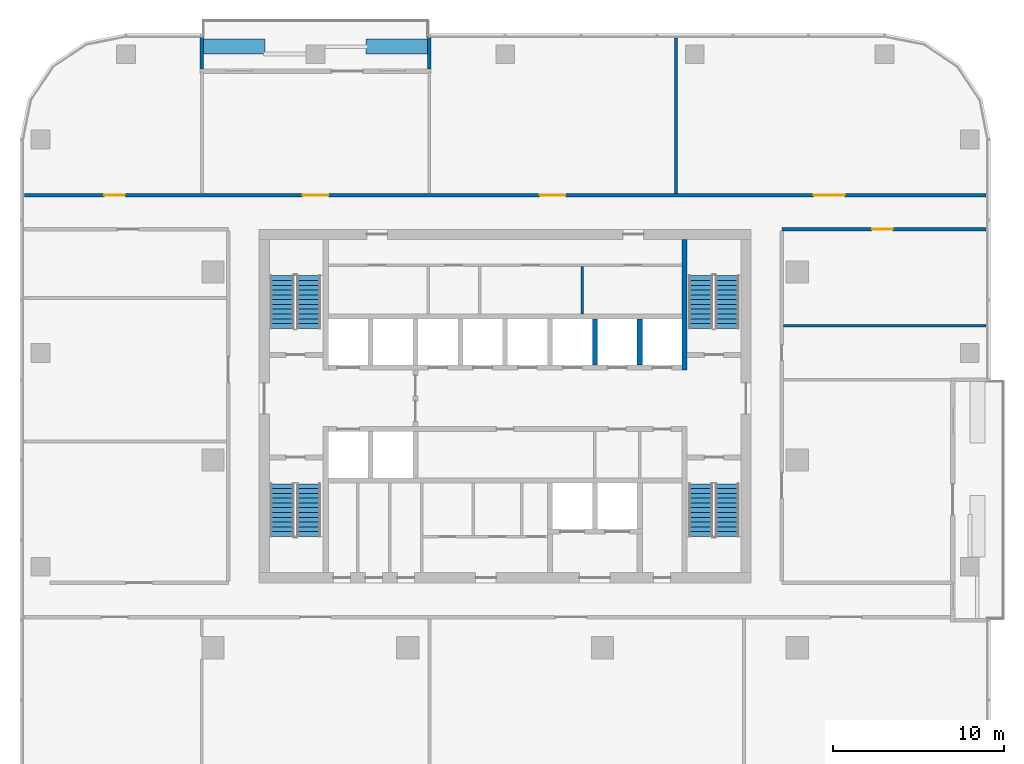
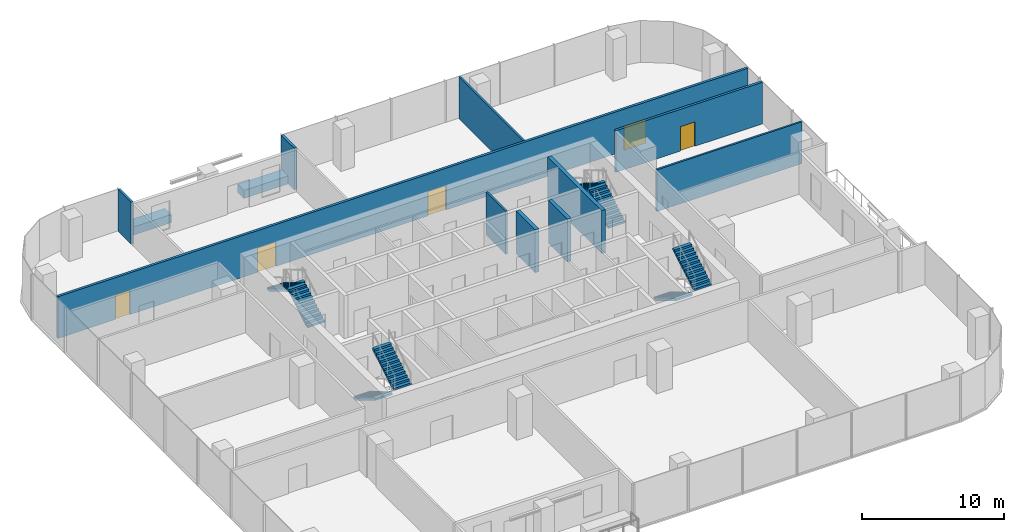
# One storey, part 10 of 14: 12 walls, 8 stair flights, 5 doors, 5 openings, 4 elements without a shape of their own.
"""IFC4 building model written with IfcOpenShell, lengths in metres."""

from ifc_helpers import new_model, si_unit, direction, frame, frame_2d, origin, place, context, subcontext, project, spatial, polyline, rectangle, outline, extrude, material, layer, layer_set, type_object, element, fill, aggregate, save


model = new_model("IFC4")

# Units and contexts
model_context = context("Model", 3, precision=1e-05, world=origin(), true_north=direction((0.0, 1.0)))
body_context = subcontext(model_context, "Body", "Model", "MODEL_VIEW")
ifc_project = project(units=[si_unit("LENGTHUNIT", "METRE"), si_unit("AREAUNIT", "SQUARE_METRE"), si_unit("VOLUMEUNIT", "CUBIC_METRE"), si_unit("PLANEANGLEUNIT", "RADIAN"), si_unit("MASSUNIT", "GRAM", prefix="KILO")], contexts=[model_context])

# Site, building, storey
site_placement = place(None, origin())
site = spatial("IfcSite", under=ifc_project, at=site_placement, CompositionType="ELEMENT")
building_placement = place(site_placement, origin())
building = spatial("IfcBuilding", under=site, at=building_placement, Name="Mopane Tessera Tower", CompositionType="ELEMENT")
storey_placement = place(building_placement, frame((0.0, 0.0, 227.0)))
storey = spatial("IfcBuildingStorey", under=building, at=storey_placement, Name="L48", CompositionType="ELEMENT", Elevation=227.0)

# Walls
ifc_material_1 = material(Name="Fire-rated gypsum board partition")
ifc_layer_1 = layer(ifc_material_1, 0.14990234375)
ifc_layer_set_1 = layer_set([ifc_layer_1], Name="Fire-rated gypsum board partition")
wall_type_1 = type_object("IfcWallType", Name="Core room partition 150 mm", PredefinedType="PARTITIONING", material=ifc_layer_set_1)
wall_1_placement = place(storey_placement, frame((4.5, 8.550048828125, 0.0), z_axis=(0.0, 0.0, 1.0), x_axis=(0.0, 1.0, 0.0)))
element("IfcWall", 1, at=wall_1_placement, inside=storey, type_object=wall_type_1, Name="L48 Room partition", PredefinedType="PARTITIONING", context=body_context, shape_type="SweptSolid", body=[
    extrude(rectangle(XDim=2.77490234375, YDim=0.14990234375, at=frame_2d((1.387451171875, 0.0))), origin(), (0.0, 0.0, 1.0), 3.699951171875),
])
ifc_material_2 = material(Name="Concrete C60/75", Category="concrete")
ifc_layer_2 = layer(ifc_material_2, 0.300048828125)
ifc_layer_set_2 = layer_set([ifc_layer_2], Name="Concrete C60/75")
wall_type_2 = type_object("IfcWallType", Name="Core spine wall 300 mm", PredefinedType="SHEAR", material=ifc_layer_set_2)
wall_2_placement = place(storey_placement, frame((10.5, 5.25, 0.0), z_axis=(0.0, 0.0, 1.0), x_axis=(0.0, 1.0, 0.0)))
element("IfcWall", 2, at=wall_2_placement, inside=storey, type_object=wall_type_2, Name="L48 Core spine wall", PredefinedType="SHEAR", context=body_context, shape_type="SweptSolid", body=[
    extrude(rectangle(XDim=7.64990234375, YDim=0.300048828125, at=frame_2d((3.824951171875, 0.0))), origin(), (0.0, 0.0, 1.0), 3.699951171875),
])

# Wall, opening, door
ifc_material_3 = material(Name="Gypsum board on steel studs, two layers each face, mineral wool infill", Category="steel")
ifc_layer_3 = layer(ifc_material_3, 0.199951171875)
ifc_layer_set_3 = layer_set([ifc_layer_3], Name="Gypsum board on steel studs, two layers each face, mineral wool infill")
wall_type_3 = type_object("IfcWallType", Name="Gypsum board corridor wall 200, rated EI 60", PredefinedType="PARTITIONING", material=ifc_layer_set_3)
wall_3_placement = place(storey_placement, frame((16.199951171875, 13.5, 0.0), z_axis=(0.0, 0.0, 1.0), x_axis=(1.0, 0.0, 0.0)))
wall_3 = element("IfcWall", 3, at=wall_3_placement, inside=storey, type_object=wall_type_3, Name="Partition L48:008", PredefinedType="PARTITIONING", context=body_context, shape_type="SweptSolid", body=[
    extrude(rectangle(XDim=11.949951171875, YDim=0.199951171875, at=frame_2d((5.97509765625, 0.0))), origin(), (0.0, 0.0, 1.0), 3.60009765625),
])
opening_1_placement = place(wall_3_placement, frame((5.27490234375, 0.0, 0.0)))
opening_1 = element("IfcOpeningElement", 4, at=opening_1_placement, cuts=wall_3, Name="Opening L48-07", PredefinedType="OPENING", context=body_context, shape_type="SweptSolid", body=[
    extrude(rectangle(XDim=1.199951171875, YDim=2.10009765625, at=frame_2d((0.60009765625, 1.050048828125))), frame((0.0, 0.112060546875, 0.0), z_axis=(0.0, -1.0, 0.0), x_axis=(1.0, 0.0, 0.0)), (0.0, 0.0, 1.0), 0.223876953125),
])
ifc_material_4 = material(Name="Timber veneered steel-framed fire door", Category="steel")
door_type_1 = type_object("IfcDoorType", Name="Fire door FD60 1200 x 2100", OperationType="SINGLE_SWING_LEFT", PredefinedType="DOOR", material=ifc_material_4)
door_1_placement = place(opening_1_placement, origin())
door_1 = element("IfcDoor", 5, at=door_1_placement, inside=storey, type_object=door_type_1, Name="Door L48-07", ObjectType="D15A", OperationType="SINGLE_SWING_LEFT", OverallHeight=2.10009765625, OverallWidth=1.199951171875, PredefinedType="DOOR", context=body_context, shape_type="SweptSolid", body=[
    extrude(rectangle(XDim=1.199951171875, YDim=2.10009765625, at=frame_2d((0.60009765625, 1.050048828125))), frame((0.0, 0.02490234375, 0.0), z_axis=(0.0, -1.0, 0.0), x_axis=(1.0, 0.0, 0.0)), (0.0, 0.0, 1.0), 0.050048828125),
])
fill(opening_1, door_1)

# Wall, openings, doors
wall_4_placement = place(storey_placement, frame((-28.14990234375, 15.5, 0.0), z_axis=(0.0, 0.0, 1.0), x_axis=(1.0, 0.0, 0.0)))
wall_4 = element("IfcWall", 6, at=wall_4_placement, inside=storey, type_object=wall_type_3, Name="Partition L48:009", PredefinedType="PARTITIONING", context=body_context, shape_type="SweptSolid", body=[
    extrude(rectangle(XDim=56.2998046875, YDim=0.199951171875, at=frame_2d((28.14990234375, 0.0))), origin(), (0.0, 0.0, 1.0), 3.60009765625),
])
opening_2_placement = place(wall_4_placement, frame((16.300048828125, 0.0, 0.0)))
opening_2 = element("IfcOpeningElement", 7, at=opening_2_placement, cuts=wall_4, Name="Opening L48-04", PredefinedType="OPENING", context=body_context, shape_type="SweptSolid", body=[
    extrude(rectangle(XDim=1.5, YDim=2.10009765625, at=frame_2d((0.75, 1.050048828125))), frame((0.0, 0.112060546875, 0.0), z_axis=(0.0, -1.0, 0.0), x_axis=(1.0, 0.0, 0.0)), (0.0, 0.0, 1.0), 0.223876953125),
])
opening_3_placement = place(wall_4_placement, frame((46.22509765625, 0.0, 0.0)))
opening_3 = element("IfcOpeningElement", 8, at=opening_3_placement, cuts=wall_4, Name="Opening L48-06", PredefinedType="OPENING", context=body_context, shape_type="SweptSolid", body=[
    extrude(rectangle(XDim=1.800048828125, YDim=2.10009765625, at=frame_2d((0.89990234375, 1.050048828125))), frame((0.0, 0.112060546875, 0.0), z_axis=(0.0, -1.0, 0.0), x_axis=(1.0, 0.0, 0.0)), (0.0, 0.0, 1.0), 0.223876953125),
])
opening_4_placement = place(wall_4_placement, frame((30.179931640625, 0.0, 0.0)))
opening_4 = element("IfcOpeningElement", 9, at=opening_4_placement, cuts=wall_4, Name="Opening L48-10", PredefinedType="OPENING", context=body_context, shape_type="SweptSolid", body=[
    extrude(rectangle(XDim=1.5, YDim=2.10009765625, at=frame_2d((0.75, 1.050048828125))), frame((0.0, 0.112060546875, 0.0), z_axis=(0.0, -1.0, 0.0), x_axis=(1.0, 0.0, 0.0)), (0.0, 0.0, 1.0), 0.223876953125),
])
opening_5_placement = place(wall_4_placement, frame((4.695068359375, 0.0, 0.0)))
opening_5 = element("IfcOpeningElement", 10, at=opening_5_placement, cuts=wall_4, Name="Opening L48-12", PredefinedType="OPENING", context=body_context, shape_type="SweptSolid", body=[
    extrude(rectangle(XDim=1.199951171875, YDim=2.10009765625, at=frame_2d((0.60009765625, 1.050048828125))), frame((0.0, 0.112060546875, 0.0), z_axis=(0.0, -1.0, 0.0), x_axis=(1.0, 0.0, 0.0)), (0.0, 0.0, 1.0), 0.223876953125),
])
door_2_placement = place(opening_5_placement, origin())
door_2 = element("IfcDoor", 11, at=door_2_placement, inside=storey, type_object=door_type_1, Name="Door L48-12", ObjectType="D15A", OperationType="SINGLE_SWING_LEFT", OverallHeight=2.10009765625, OverallWidth=1.199951171875, PredefinedType="DOOR", context=body_context, shape_type="SweptSolid", body=[
    extrude(rectangle(XDim=1.199951171875, YDim=2.10009765625, at=frame_2d((0.60009765625, 1.050048828125))), frame((0.0, 0.02490234375, 0.0), z_axis=(0.0, -1.0, 0.0), x_axis=(1.0, 0.0, 0.0)), (0.0, 0.0, 1.0), 0.050048828125),
])
fill(opening_5, door_2)
ifc_material_5 = material(Name="Timber veneered steel-framed fire door", Category="steel")
door_type_2 = type_object("IfcDoorType", Name="Fire door pair FD60 1500 x 2100", OperationType="DOUBLE_DOOR_SINGLE_SWING", PredefinedType="DOOR", material=ifc_material_5)
door_3_placement = place(opening_2_placement, origin())
door_3 = element("IfcDoor", 12, at=door_3_placement, inside=storey, type_object=door_type_2, Name="Door L48-04", ObjectType="D17A", OperationType="DOUBLE_DOOR_SINGLE_SWING", OverallHeight=2.10009765625, OverallWidth=1.5, PredefinedType="DOOR", context=body_context, shape_type="SweptSolid", body=[
    extrude(rectangle(XDim=1.5, YDim=2.10009765625, at=frame_2d((0.75, 1.050048828125))), frame((0.0, 0.02490234375, 0.0), z_axis=(0.0, -1.0, 0.0), x_axis=(1.0, 0.0, 0.0)), (0.0, 0.0, 1.0), 0.050048828125),
])
fill(opening_2, door_3)
door_4_placement = place(opening_4_placement, origin())
door_4 = element("IfcDoor", 13, at=door_4_placement, inside=storey, type_object=door_type_2, Name="Door L48-10", ObjectType="D17A", OperationType="DOUBLE_DOOR_SINGLE_SWING", OverallHeight=2.10009765625, OverallWidth=1.5, PredefinedType="DOOR", context=body_context, shape_type="SweptSolid", body=[
    extrude(rectangle(XDim=1.5, YDim=2.10009765625, at=frame_2d((0.75, 1.050048828125))), frame((0.0, 0.02490234375, 0.0), z_axis=(0.0, -1.0, 0.0), x_axis=(1.0, 0.0, 0.0)), (0.0, 0.0, 1.0), 0.050048828125),
])
fill(opening_4, door_4)
ifc_material_6 = material(Name="Timber veneered steel-framed fire door", Category="steel")
door_type_3 = type_object("IfcDoorType", Name="Fire door pair FD60 1800 x 2100", OperationType="DOUBLE_DOOR_SINGLE_SWING", PredefinedType="DOOR", material=ifc_material_6)
door_5_placement = place(opening_3_placement, origin())
door_5 = element("IfcDoor", 14, at=door_5_placement, inside=storey, type_object=door_type_3, Name="Door L48-06", ObjectType="D20A", OperationType="DOUBLE_DOOR_SINGLE_SWING", OverallHeight=2.10009765625, OverallWidth=1.800048828125, PredefinedType="DOOR", context=body_context, shape_type="SweptSolid", body=[
    extrude(rectangle(XDim=1.800048828125, YDim=2.10009765625, at=frame_2d((0.89990234375, 1.050048828125))), frame((0.0, 0.02490234375, 0.0), z_axis=(0.0, -1.0, 0.0), x_axis=(1.0, 0.0, 0.0)), (0.0, 0.0, 1.0), 0.050048828125),
])
fill(opening_3, door_5)

# Walls
ifc_material_7 = material(Name="Gypsum board on steel studs, mineral wool infill", Category="steel")
ifc_layer_4 = layer(ifc_material_7, 0.14990234375)
ifc_layer_set_4 = layer_set([ifc_layer_4], Name="Gypsum board on steel studs, mineral wool infill")
wall_type_4 = type_object("IfcWallType", Name="Gypsum board partition 150, rated EI 60", PredefinedType="PARTITIONING", material=ifc_layer_set_4)
wall_5_placement = place(storey_placement, frame((16.300048828125, 7.85498046875, 0.0), z_axis=(0.0, 0.0, 1.0), x_axis=(1.0, 0.0, 0.0)))
element("IfcWall", 15, at=wall_5_placement, inside=storey, type_object=wall_type_4, Name="Partition L48:005", PredefinedType="PARTITIONING", context=body_context, shape_type="SweptSolid", body=[
    extrude(rectangle(XDim=11.849853515625, YDim=0.14990234375, at=frame_2d((5.9248046875, 0.0))), origin(), (0.0, 0.0, 1.0), 3.60009765625),
])
wall_6_placement = place(storey_placement, frame((10.0, 15.60009765625, 0.0), z_axis=(0.0, 0.0, 1.0), x_axis=(0.0, 1.0, 0.0)))
element("IfcWall", 16, at=wall_6_placement, inside=storey, type_object=wall_type_4, Name="Partition L48:016", PredefinedType="PARTITIONING", context=body_context, shape_type="SweptSolid", body=[
    extrude(rectangle(XDim=9.099853515625, YDim=0.14990234375, at=frame_2d((4.5498046875, 0.0))), origin(), (0.0, 0.0, 1.0), 3.60009765625),
])
ifc_material_8 = material(Name="Concrete C50/60", Category="concrete")
ifc_layer_5 = layer(ifc_material_8, 0.300048828125)
ifc_layer_set_5 = layer_set([ifc_layer_5], Name="Concrete C50/60")
wall_type_5 = type_object("IfcWallType", Name="Lift and stair shaft wall 300 mm", PredefinedType="SOLIDWALL", material=ifc_layer_set_5)
for number, where, z_axis, x_axis, name in (
    (17, (5.25, 5.550048828125, 0.0), (0.0, 0.0, 1.0), (0.0, 1.0, 0.0), "L48 Lift shaft wall"),
    (18, (7.875, 5.550048828125, 0.0), (0.0, 0.0, 1.0), (0.0, 1.0, 0.0), "L48 Lift shaft wall"),
):
    element("IfcWall", number, at=place(storey_placement, frame(where, z_axis=z_axis, x_axis=x_axis)), inside=storey, type_object=wall_type_5, Name=name, PredefinedType="SOLIDWALL", context=body_context, shape_type="SweptSolid", body=[
        extrude(rectangle(XDim=2.699951171875, YDim=0.300048828125, at=frame_2d((1.35009765625, 0.0))), origin(), (0.0, 0.0, 1.0), 3.699951171875),
    ])
ifc_material_9 = material(Name="Reinforced concrete C32/40 with waterproofing", Category="concrete")
ifc_layer_6 = layer(ifc_material_9, 0.89990234375)
ifc_layer_set_6 = layer_set([ifc_layer_6], Name="Reinforced concrete C32/40 with waterproofing")
wall_type_6 = type_object("IfcWallType", Name="Planter trough 3600 x 900", PredefinedType="STANDARD", material=ifc_layer_set_6)
for number, where, z_axis, x_axis, name in (
    (19, (-4.5400390625, 24.199951171875, 0.0), (0.0, 0.0, 1.0), (-1.0, 0.0, 0.0), "e:nw:L48:N3:pl0"),
    (20, (-14.06005859375, 24.199951171875, 0.0), (0.0, 0.0, 1.0), (-1.0, 0.0, 0.0), "e:nw:L48:N3:pl1"),
):
    element("IfcWall", number, at=place(storey_placement, frame(where, z_axis=z_axis, x_axis=x_axis)), inside=storey, type_object=wall_type_6, Name=name, PredefinedType="STANDARD", context=body_context, shape_type="SweptSolid", body=[
        extrude(rectangle(XDim=3.599853515625, YDim=0.89990234375, at=frame_2d((1.7998046875, 0.0))), origin(), (0.0, 0.0, 1.0), 0.699951171875),
    ])
ifc_material_10 = material(Name="Blockwork with glazed tile facing", Category="masonry")
ifc_layer_7 = layer(ifc_material_10, 0.199951171875)
ifc_layer_set_7 = layer_set([ifc_layer_7], Name="Blockwork with glazed tile facing")
wall_type_7 = type_object("IfcWallType", Name="Terrace cheek wall 200", PredefinedType="STANDARD", material=ifc_layer_set_7)
for number, where, z_axis, x_axis, name in (
    (21, (-4.43994140625, 24.75, 0.0), (0.0, 0.0, 1.0), (0.0, -1.0, 0.0), "e:nw:L48:N3:cheeka"),
    (22, (-17.760009765625, 24.75, 0.0), (0.0, 0.0, 1.0), (0.0, -1.0, 0.0), "e:nw:L48:N3:cheekb"),
):
    element("IfcWall", number, at=place(storey_placement, frame(where, z_axis=z_axis, x_axis=x_axis)), inside=storey, type_object=wall_type_7, Name=name, PredefinedType="STANDARD", context=body_context, shape_type="SweptSolid", body=[
        extrude(rectangle(XDim=1.875, YDim=0.199951171875, at=frame_2d((0.9375, 0.0))), origin(), (0.0, 0.0, 1.0), 3.60009765625),
    ])

# Stair, stair flights
ifc_material_11 = material(Name="Concrete C50/60", Category="concrete")
stair_type = type_object("IfcStairType", Name="Escape stair 1400 mm, riser 167 mm", PredefinedType="HALF_TURN_STAIR", material=ifc_material_11)
stair_1_placement = place(storey_placement, origin())
stair_1 = element("IfcStair", 23, at=stair_1_placement, inside=storey, type_object=stair_type, Name="L48 Escape stair south-west", PredefinedType="HALF_TURN_STAIR")
ifc_material_12 = material(Name="Concrete C50/60", Category="concrete")
stair_flight_type = type_object("IfcStairFlightType", Name="Escape stair flight 1400 mm", PredefinedType="STRAIGHT", material=ifc_material_12)
stair_flight_1_placement = place(storey_placement, frame((-13.050048828125, -1.39990234375, 0.0), z_axis=(0.0, 0.0, 1.0), x_axis=(0.0, -1.0, 0.0)))
stair_flight_1 = element("IfcStairFlight", 24, at=stair_flight_1_placement, type_object=stair_flight_type, Name="ST1 flight 1", NumberOfRisers=12, NumberOfTreads=11, PredefinedType="STRAIGHT", RiserHeight=0.166666667, TreadLength=0.28, context=body_context, shape_type="SweptSolid", body=[
    extrude(outline(polyline([(0.0, 0.0), (0.0, 0.166748046875), (0.280029296875, 0.166748046875), (0.280029296875, 0.333251953125), (0.56005859375, 0.333251953125), (0.56005859375, 0.5), (0.840087890625, 0.5), (0.840087890625, 0.666748046875), (1.1201171875, 0.666748046875), (1.1201171875, 0.833251953125), (1.39990234375, 0.833251953125), (1.39990234375, 1.0), (1.679931640625, 1.0), (1.679931640625, 1.166748046875), (1.9599609375, 1.166748046875), (1.9599609375, 1.333251953125), (2.239990234375, 1.333251953125), (2.239990234375, 1.5), (2.52001953125, 1.5), (2.52001953125, 1.666748046875), (2.800048828125, 1.666748046875), (2.800048828125, 1.833251953125), (3.080078125, 1.833251953125), (3.080078125, 2.0), (3.080078125, 1.658935546875), (0.29296875, 0.0), (0.0, 0.0)])), frame((0.0, 0.699951171875, 0.0), z_axis=(0.0, -1.0, 0.0), x_axis=(1.0, 0.0, 0.0)), (0.0, 0.0, 1.0), 1.39990234375),
])
stair_flight_2_placement = place(storey_placement, frame((-11.5, -4.47998046875, 2.0), z_axis=(0.0, 0.0, 1.0), x_axis=(0.0, 1.0, 0.0)))
stair_flight_2 = element("IfcStairFlight", 25, at=stair_flight_2_placement, type_object=stair_flight_type, Name="ST1 flight 2", NumberOfRisers=12, NumberOfTreads=11, PredefinedType="STRAIGHT", RiserHeight=0.166666667, TreadLength=0.28, context=body_context, shape_type="SweptSolid", body=[
    extrude(outline(polyline([(0.0, 0.0), (0.0, 0.166748046875), (0.280029296875, 0.166748046875), (0.280029296875, 0.333251953125), (0.56005859375, 0.333251953125), (0.56005859375, 0.5), (0.840087890625, 0.5), (0.840087890625, 0.666748046875), (1.1201171875, 0.666748046875), (1.1201171875, 0.833251953125), (1.39990234375, 0.833251953125), (1.39990234375, 1.0), (1.679931640625, 1.0), (1.679931640625, 1.166748046875), (1.9599609375, 1.166748046875), (1.9599609375, 1.333251953125), (2.239990234375, 1.333251953125), (2.239990234375, 1.5), (2.52001953125, 1.5), (2.52001953125, 1.666748046875), (2.800048828125, 1.666748046875), (2.800048828125, 1.833251953125), (3.080078125, 1.833251953125), (3.080078125, 2.0), (3.080078125, 1.658935546875), (0.29296875, 0.0), (0.0, 0.0)])), frame((0.0, 0.699951171875, 0.0), z_axis=(0.0, -1.0, 0.0), x_axis=(1.0, 0.0, 0.0)), (0.0, 0.0, 1.0), 1.39990234375),
])
aggregate(stair_1, [stair_flight_1, stair_flight_2])

stair_2_placement = place(storey_placement, origin())
stair_2 = element("IfcStair", 26, at=stair_2_placement, inside=storey, type_object=stair_type, Name="L48 Escape stair north-west", PredefinedType="HALF_TURN_STAIR")
stair_flight_3_placement = place(storey_placement, frame((-11.5, 7.699951171875, 0.0), z_axis=(0.0, 0.0, 1.0), x_axis=(0.0, 1.0, 0.0)))
stair_flight_3 = element("IfcStairFlight", 27, at=stair_flight_3_placement, type_object=stair_flight_type, Name="ST2 flight 1", NumberOfRisers=12, NumberOfTreads=11, PredefinedType="STRAIGHT", RiserHeight=0.166666667, TreadLength=0.28, context=body_context, shape_type="SweptSolid", body=[
    extrude(outline(polyline([(0.0, 0.0), (0.0, 0.166748046875), (0.280029296875, 0.166748046875), (0.280029296875, 0.333251953125), (0.56005859375, 0.333251953125), (0.56005859375, 0.5), (0.840087890625, 0.5), (0.840087890625, 0.666748046875), (1.1201171875, 0.666748046875), (1.1201171875, 0.833251953125), (1.39990234375, 0.833251953125), (1.39990234375, 1.0), (1.679931640625, 1.0), (1.679931640625, 1.166748046875), (1.9599609375, 1.166748046875), (1.9599609375, 1.333251953125), (2.239990234375, 1.333251953125), (2.239990234375, 1.5), (2.52001953125, 1.5), (2.52001953125, 1.666748046875), (2.800048828125, 1.666748046875), (2.800048828125, 1.833251953125), (3.080078125, 1.833251953125), (3.080078125, 2.0), (3.080078125, 1.658935546875), (0.29296875, 0.0), (0.0, 0.0)])), frame((0.0, 0.699951171875, 0.0), z_axis=(0.0, -1.0, 0.0), x_axis=(1.0, 0.0, 0.0)), (0.0, 0.0, 1.0), 1.39990234375),
])
stair_flight_4_placement = place(storey_placement, frame((-13.050048828125, 10.780029296875, 2.0), z_axis=(0.0, 0.0, 1.0), x_axis=(0.0, -1.0, 0.0)))
stair_flight_4 = element("IfcStairFlight", 28, at=stair_flight_4_placement, type_object=stair_flight_type, Name="ST2 flight 2", NumberOfRisers=12, NumberOfTreads=11, PredefinedType="STRAIGHT", RiserHeight=0.166666667, TreadLength=0.28, context=body_context, shape_type="SweptSolid", body=[
    extrude(outline(polyline([(0.0, 0.0), (0.0, 0.166748046875), (0.280029296875, 0.166748046875), (0.280029296875, 0.333251953125), (0.56005859375, 0.333251953125), (0.56005859375, 0.5), (0.840087890625, 0.5), (0.840087890625, 0.666748046875), (1.1201171875, 0.666748046875), (1.1201171875, 0.833251953125), (1.39990234375, 0.833251953125), (1.39990234375, 1.0), (1.679931640625, 1.0), (1.679931640625, 1.166748046875), (1.9599609375, 1.166748046875), (1.9599609375, 1.333251953125), (2.239990234375, 1.333251953125), (2.239990234375, 1.5), (2.52001953125, 1.5), (2.52001953125, 1.666748046875), (2.800048828125, 1.666748046875), (2.800048828125, 1.833251953125), (3.080078125, 1.833251953125), (3.080078125, 2.0), (3.080078125, 1.658935546875), (0.29296875, 0.0), (0.0, 0.0)])), frame((0.0, 0.699951171875, 0.0), z_axis=(0.0, -1.0, 0.0), x_axis=(1.0, 0.0, 0.0)), (0.0, 0.0, 1.0), 1.39990234375),
])
aggregate(stair_2, [stair_flight_3, stair_flight_4])

stair_3_placement = place(storey_placement, origin())
stair_3 = element("IfcStair", 29, at=stair_3_placement, inside=storey, type_object=stair_type, Name="L48 Escape stair south-east", PredefinedType="HALF_TURN_STAIR")
stair_flight_5_placement = place(storey_placement, frame((11.449951171875, -1.39990234375, 0.0), z_axis=(0.0, 0.0, 1.0), x_axis=(0.0, -1.0, 0.0)))
stair_flight_5 = element("IfcStairFlight", 30, at=stair_flight_5_placement, type_object=stair_flight_type, Name="ST3 flight 1", NumberOfRisers=12, NumberOfTreads=11, PredefinedType="STRAIGHT", RiserHeight=0.166666667, TreadLength=0.28, context=body_context, shape_type="SweptSolid", body=[
    extrude(outline(polyline([(0.0, 0.0), (0.0, 0.166748046875), (0.280029296875, 0.166748046875), (0.280029296875, 0.333251953125), (0.56005859375, 0.333251953125), (0.56005859375, 0.5), (0.840087890625, 0.5), (0.840087890625, 0.666748046875), (1.1201171875, 0.666748046875), (1.1201171875, 0.833251953125), (1.39990234375, 0.833251953125), (1.39990234375, 1.0), (1.679931640625, 1.0), (1.679931640625, 1.166748046875), (1.9599609375, 1.166748046875), (1.9599609375, 1.333251953125), (2.239990234375, 1.333251953125), (2.239990234375, 1.5), (2.52001953125, 1.5), (2.52001953125, 1.666748046875), (2.800048828125, 1.666748046875), (2.800048828125, 1.833251953125), (3.080078125, 1.833251953125), (3.080078125, 2.0), (3.080078125, 1.658935546875), (0.29296875, 0.0), (0.0, 0.0)])), frame((0.0, 0.699951171875, 0.0), z_axis=(0.0, -1.0, 0.0), x_axis=(1.0, 0.0, 0.0)), (0.0, 0.0, 1.0), 1.39990234375),
])
stair_flight_6_placement = place(storey_placement, frame((13.0, -4.47998046875, 2.0), z_axis=(0.0, 0.0, 1.0), x_axis=(0.0, 1.0, 0.0)))
stair_flight_6 = element("IfcStairFlight", 31, at=stair_flight_6_placement, type_object=stair_flight_type, Name="ST3 flight 2", NumberOfRisers=12, NumberOfTreads=11, PredefinedType="STRAIGHT", RiserHeight=0.166666667, TreadLength=0.28, context=body_context, shape_type="SweptSolid", body=[
    extrude(outline(polyline([(0.0, 0.0), (0.0, 0.166748046875), (0.280029296875, 0.166748046875), (0.280029296875, 0.333251953125), (0.56005859375, 0.333251953125), (0.56005859375, 0.5), (0.840087890625, 0.5), (0.840087890625, 0.666748046875), (1.1201171875, 0.666748046875), (1.1201171875, 0.833251953125), (1.39990234375, 0.833251953125), (1.39990234375, 1.0), (1.679931640625, 1.0), (1.679931640625, 1.166748046875), (1.9599609375, 1.166748046875), (1.9599609375, 1.333251953125), (2.239990234375, 1.333251953125), (2.239990234375, 1.5), (2.52001953125, 1.5), (2.52001953125, 1.666748046875), (2.800048828125, 1.666748046875), (2.800048828125, 1.833251953125), (3.080078125, 1.833251953125), (3.080078125, 2.0), (3.080078125, 1.658935546875), (0.29296875, 0.0), (0.0, 0.0)])), frame((0.0, 0.699951171875, 0.0), z_axis=(0.0, -1.0, 0.0), x_axis=(1.0, 0.0, 0.0)), (0.0, 0.0, 1.0), 1.39990234375),
])
aggregate(stair_3, [stair_flight_5, stair_flight_6])

stair_4_placement = place(storey_placement, origin())
stair_4 = element("IfcStair", 32, at=stair_4_placement, inside=storey, type_object=stair_type, Name="L48 Escape stair north-east", PredefinedType="HALF_TURN_STAIR")
stair_flight_7_placement = place(storey_placement, frame((13.0, 7.699951171875, 0.0), z_axis=(0.0, 0.0, 1.0), x_axis=(0.0, 1.0, 0.0)))
stair_flight_7 = element("IfcStairFlight", 33, at=stair_flight_7_placement, type_object=stair_flight_type, Name="ST4 flight 1", NumberOfRisers=12, NumberOfTreads=11, PredefinedType="STRAIGHT", RiserHeight=0.166666667, TreadLength=0.28, context=body_context, shape_type="SweptSolid", body=[
    extrude(outline(polyline([(0.0, 0.0), (0.0, 0.166748046875), (0.280029296875, 0.166748046875), (0.280029296875, 0.333251953125), (0.56005859375, 0.333251953125), (0.56005859375, 0.5), (0.840087890625, 0.5), (0.840087890625, 0.666748046875), (1.1201171875, 0.666748046875), (1.1201171875, 0.833251953125), (1.39990234375, 0.833251953125), (1.39990234375, 1.0), (1.679931640625, 1.0), (1.679931640625, 1.166748046875), (1.9599609375, 1.166748046875), (1.9599609375, 1.333251953125), (2.239990234375, 1.333251953125), (2.239990234375, 1.5), (2.52001953125, 1.5), (2.52001953125, 1.666748046875), (2.800048828125, 1.666748046875), (2.800048828125, 1.833251953125), (3.080078125, 1.833251953125), (3.080078125, 2.0), (3.080078125, 1.658935546875), (0.29296875, 0.0), (0.0, 0.0)])), frame((0.0, 0.699951171875, 0.0), z_axis=(0.0, -1.0, 0.0), x_axis=(1.0, 0.0, 0.0)), (0.0, 0.0, 1.0), 1.39990234375),
])
stair_flight_8_placement = place(storey_placement, frame((11.449951171875, 10.780029296875, 2.0), z_axis=(0.0, 0.0, 1.0), x_axis=(0.0, -1.0, 0.0)))
stair_flight_8 = element("IfcStairFlight", 34, at=stair_flight_8_placement, type_object=stair_flight_type, Name="ST4 flight 2", NumberOfRisers=12, NumberOfTreads=11, PredefinedType="STRAIGHT", RiserHeight=0.166666667, TreadLength=0.28, context=body_context, shape_type="SweptSolid", body=[
    extrude(outline(polyline([(0.0, 0.0), (0.0, 0.166748046875), (0.280029296875, 0.166748046875), (0.280029296875, 0.333251953125), (0.56005859375, 0.333251953125), (0.56005859375, 0.5), (0.840087890625, 0.5), (0.840087890625, 0.666748046875), (1.1201171875, 0.666748046875), (1.1201171875, 0.833251953125), (1.39990234375, 0.833251953125), (1.39990234375, 1.0), (1.679931640625, 1.0), (1.679931640625, 1.166748046875), (1.9599609375, 1.166748046875), (1.9599609375, 1.333251953125), (2.239990234375, 1.333251953125), (2.239990234375, 1.5), (2.52001953125, 1.5), (2.52001953125, 1.666748046875), (2.800048828125, 1.666748046875), (2.800048828125, 1.833251953125), (3.080078125, 1.833251953125), (3.080078125, 2.0), (3.080078125, 1.658935546875), (0.29296875, 0.0), (0.0, 0.0)])), frame((0.0, 0.699951171875, 0.0), z_axis=(0.0, -1.0, 0.0), x_axis=(1.0, 0.0, 0.0)), (0.0, 0.0, 1.0), 1.39990234375),
])
aggregate(stair_4, [stair_flight_7, stair_flight_8])

save(model, "model.ifc")
